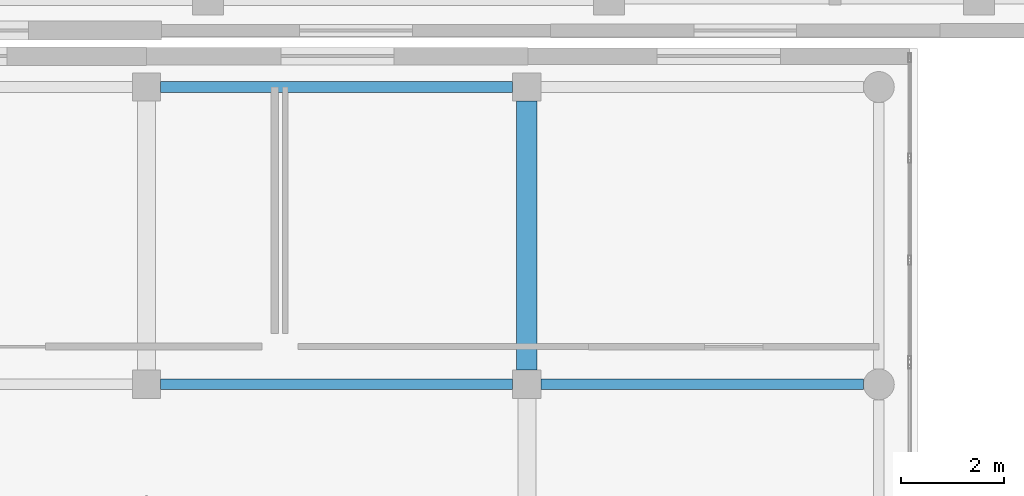
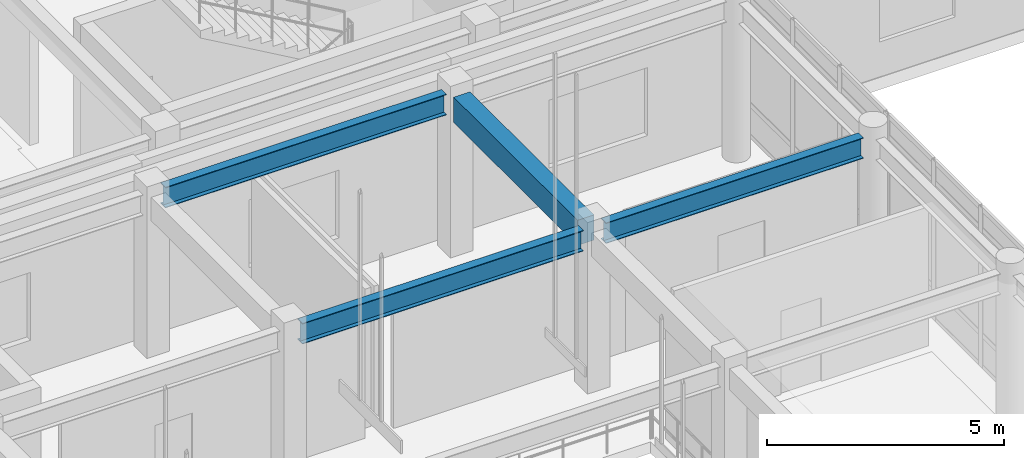
# One storey, part 61 of 142: 4 beams.
"""IFC4 building model written with IfcOpenShell, lengths in metres."""

from ifc_helpers import new_model, si_unit, direction, frame, origin, origin_2d, place, context, subcontext, project, spatial, rectangle, i_section, extrude, material, material_profile, profile_set, type_object, element, save


model = new_model("IFC4")

# Units and contexts
model_context = context("Model", 3, precision=1e-05, world=origin(), true_north=direction((0.0, 1.0)))
body_context = subcontext(model_context, "Body", "Model", "MODEL_VIEW")
ifc_project = project(units=[si_unit("LENGTHUNIT", "METRE"), si_unit("AREAUNIT", "SQUARE_METRE"), si_unit("VOLUMEUNIT", "CUBIC_METRE"), si_unit("PLANEANGLEUNIT", "RADIAN"), si_unit("MASSUNIT", "GRAM", prefix="KILO")], contexts=[model_context])

# Site, building, storey
site_placement = place(None, origin())
site = spatial("IfcSite", under=ifc_project, at=site_placement, CompositionType="ELEMENT")
building_placement = place(site_placement, origin())
building = spatial("IfcBuilding", under=site, at=building_placement, Name="Valcora Specialist Clinic", CompositionType="ELEMENT")
storey_placement = place(building_placement, frame((0.0, 0.0, 5.10009765625)))
storey = spatial("IfcBuildingStorey", under=building, at=storey_placement, Name="L01", CompositionType="ELEMENT", Elevation=5.10009765625)

# Beams
ifc_material_1 = material(Name="Steel ASTM A992 Grade 50", Category="steel")
ifc_material_profile_1 = material_profile(ifc_material_1, i_section(OverallWidth=0.208984375, OverallDepth=0.532958984375, WebThickness=0.010009765625, FlangeThickness=0.01611328125, at=origin_2d()), Name="ST-IR-530X210")
ifc_profile_set_1 = profile_set([ifc_material_profile_1], Name="Steel ASTM A992 Grade 50")
beam_type_1 = type_object("IfcBeamType", Name="TY-BM-IR530", PredefinedType="SPANDREL", material=ifc_profile_set_1)
beam_1_placement = place(storey_placement, frame((15.27490234375, 73.464111328125, 3.849365234375), z_axis=(1.0, 0.0, 0.0), x_axis=(0.0, 1.0, 0.0)))
element("IfcBeam", 1, at=beam_1_placement, inside=storey, type_object=beam_type_1, Name="Beam BM-L01-0155", PredefinedType="SPANDREL", context=body_context, shape_type="SweptSolid", body=[
    extrude(i_section(OverallWidth=0.208984375, OverallDepth=0.532958984375, WebThickness=0.010009765625, FlangeThickness=0.01611328125, at=origin_2d()), origin(), (0.0, 0.0, 1.0), 6.85009765625),
])
beam_2_placement = place(storey_placement, frame((22.675048828125, 73.464111328125, 3.849365234375), z_axis=(1.0, 0.0, 0.0), x_axis=(0.0, 1.0, 0.0)))
element("IfcBeam", 2, at=beam_2_placement, inside=storey, type_object=beam_type_1, Name="Beam BM-L01-0156", PredefinedType="SPANDREL", context=body_context, shape_type="SweptSolid", body=[
    extrude(i_section(OverallWidth=0.208984375, OverallDepth=0.532958984375, WebThickness=0.010009765625, FlangeThickness=0.01611328125, at=origin_2d()), origin(), (0.0, 0.0, 1.0), 6.27490234375),
])
beam_3_placement = place(storey_placement, frame((15.27490234375, 79.25, 3.849365234375), z_axis=(1.0, 0.0, 0.0), x_axis=(0.0, 1.0, 0.0)))
element("IfcBeam", 3, at=beam_3_placement, inside=storey, type_object=beam_type_1, Name="Beam BM-L01-0159", PredefinedType="SPANDREL", context=body_context, shape_type="SweptSolid", body=[
    extrude(i_section(OverallWidth=0.208984375, OverallDepth=0.532958984375, WebThickness=0.010009765625, FlangeThickness=0.01611328125, at=origin_2d()), origin(), (0.0, 0.0, 1.0), 6.85009765625),
])
ifc_material_2 = material(Name="Concrete C40/50", Category="concrete")
ifc_material_profile_2 = material_profile(ifc_material_2, rectangle(XDim=0.39990234375, YDim=0.64990234375, at=origin_2d()), Name="RC-BM-400X650")
ifc_profile_set_2 = profile_set([ifc_material_profile_2], Name="Concrete C40/50")
beam_type_2 = type_object("IfcBeamType", Name="TY-BM-RC400X650", PredefinedType="BEAM", material=ifc_profile_set_2)
beam_4_placement = place(storey_placement, frame((22.39990234375, 73.739013671875, 3.794921875), z_axis=(0.0, 1.0, 0.0), x_axis=(-1.0, 0.0, 0.0)))
element("IfcBeam", 4, at=beam_4_placement, inside=storey, type_object=beam_type_2, Name="Beam BM-L01-0181", PredefinedType="BEAM", context=body_context, shape_type="SweptSolid", body=[
    extrude(rectangle(XDim=0.39990234375, YDim=0.64990234375, at=origin_2d()), origin(), (0.0, 0.0, 1.0), 5.236083984375),
])

save(model, "model.ifc")
